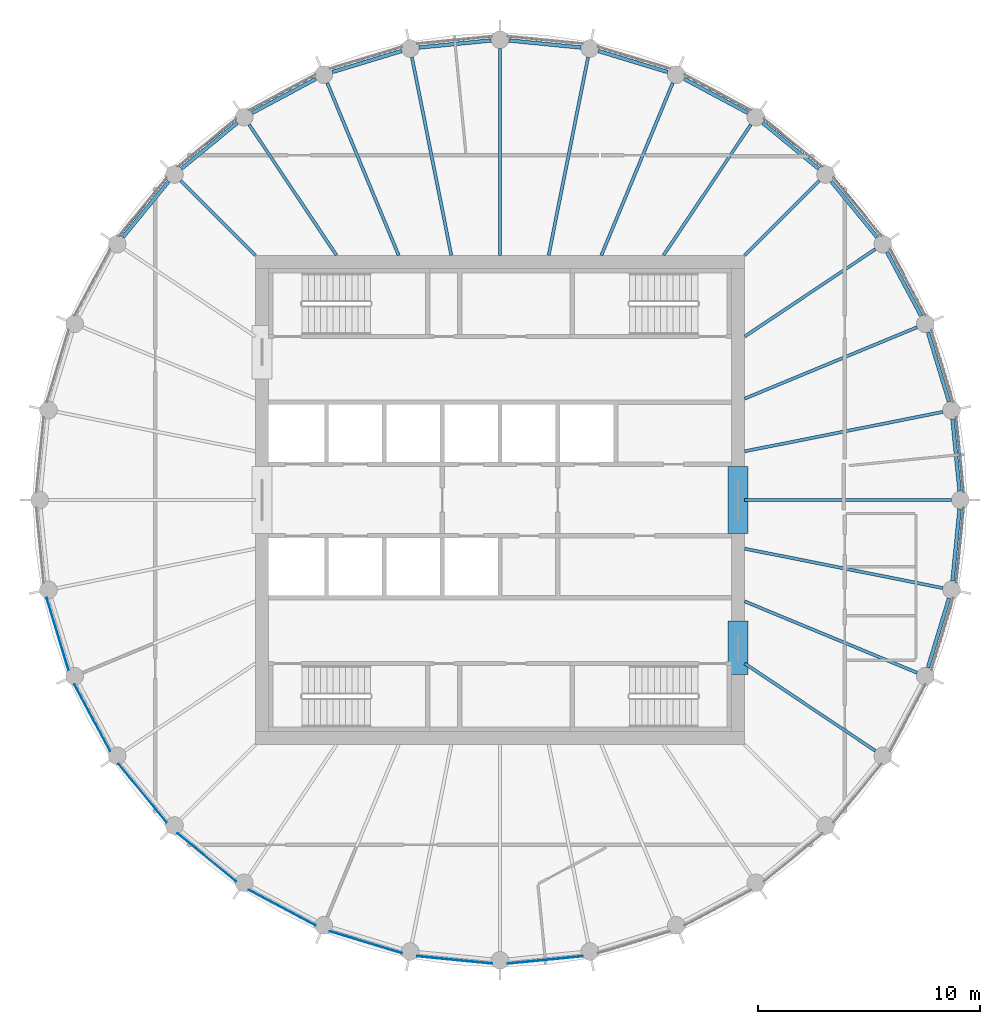
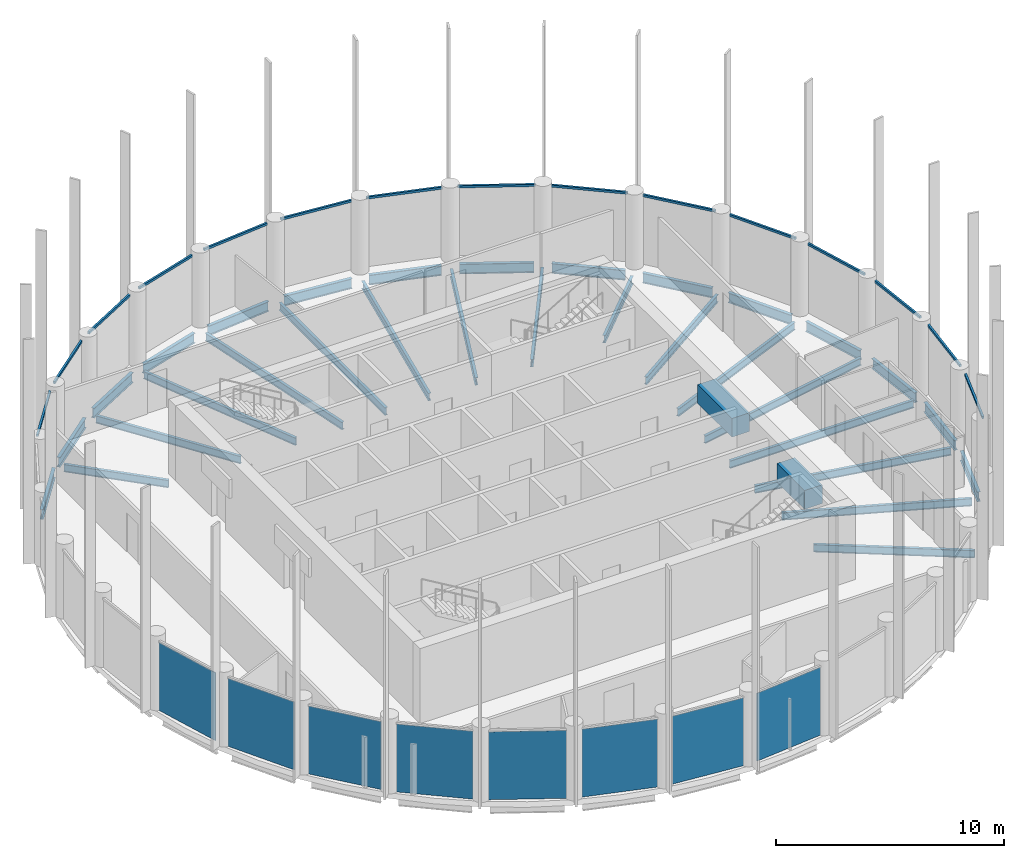
# One storey, part 2 of 7: 33 beams, 15 members, 8 plates, 23 elements without a shape of their own.
"""IFC4 building model written with IfcOpenShell, lengths in metres."""

from ifc_helpers import new_model, si_unit, direction, frame, origin, origin_2d, place, context, subcontext, project, spatial, rectangle, i_section, extrude, material, layer, layer_set, material_profile, profile_set, type_object, element, aggregate, save


model = new_model("IFC4")

# Units and contexts
model_context = context("Model", 3, precision=1e-05, world=origin(), true_north=direction((0.0, 1.0)))
body_context = subcontext(model_context, "Body", "Model", "MODEL_VIEW")
ifc_project = project(units=[si_unit("LENGTHUNIT", "METRE"), si_unit("AREAUNIT", "SQUARE_METRE"), si_unit("VOLUMEUNIT", "CUBIC_METRE"), si_unit("PLANEANGLEUNIT", "RADIAN"), si_unit("MASSUNIT", "GRAM", prefix="KILO")], contexts=[model_context])

# Site, building, storey
site_placement = place(None, origin())
site = spatial("IfcSite", under=ifc_project, at=site_placement, CompositionType="ELEMENT")
building_placement = place(site_placement, origin())
building = spatial("IfcBuilding", under=site, at=building_placement, Name="Corvane Civic Tower", CompositionType="ELEMENT")
storey_placement = place(building_placement, frame((0.0, 0.0, 356.5)))
storey = spatial("IfcBuildingStorey", under=building, at=storey_placement, Name="L85", CompositionType="ELEMENT", Elevation=356.5)

# Beams
ifc_material_1 = material(Name="Concrete C40/50", Category="concrete")
ifc_material_profile_1 = material_profile(ifc_material_1, rectangle(XDim=0.89990234375, YDim=1.0, at=origin_2d()), Name="COUPLING BEAM 900X1000")
ifc_profile_set_1 = profile_set([ifc_material_profile_1], Name="Concrete C40/50")
beam_type_1 = type_object("IfcBeamType", Name="COUPLING BEAM COUPLING BEAM 900X1000", PredefinedType="BEAM", material=ifc_profile_set_1)
beam_1_placement = place(storey_placement, frame((10.699951171875, -1.5, 2.60009765625), z_axis=(0.0, 1.0, 0.0), x_axis=(-1.0, 0.0, 0.0)))
element("IfcBeam", 1, at=beam_1_placement, inside=storey, type_object=beam_type_1, Name="BM-L85-cpl-CW-LE", PredefinedType="BEAM", context=body_context, shape_type="SweptSolid", body=[
    extrude(rectangle(XDim=0.89990234375, YDim=1.0, at=origin_2d()), origin(), (0.0, 0.0, 1.0), 3.0),
])
beam_2_placement = place(storey_placement, frame((10.699951171875, -7.85009765625, 2.60009765625), z_axis=(0.0, 1.0, 0.0), x_axis=(-1.0, 0.0, 0.0)))
element("IfcBeam", 2, at=beam_2_placement, inside=storey, type_object=beam_type_1, Name="BM-L85-cpl-CW-ES", PredefinedType="BEAM", context=body_context, shape_type="SweptSolid", body=[
    extrude(rectangle(XDim=0.89990234375, YDim=1.0, at=origin_2d()), origin(), (0.0, 0.0, 1.0), 2.400146484375),
])
ifc_material_2 = material(Name="Steel ASTM A992 Gr 50", Category="steel")
ifc_material_profile_2 = material_profile(ifc_material_2, i_section(OverallWidth=0.165771484375, OverallDepth=0.5283203125, WebThickness=0.009765625, FlangeThickness=0.013671875, at=origin_2d()), Name="W21X50")
ifc_profile_set_2 = profile_set([ifc_material_profile_2], Name="Steel ASTM A992 Gr 50")
beam_type_2 = type_object("IfcBeamType", Name="EDGE BEAM W21X50", PredefinedType="BEAM", material=ifc_profile_set_2)
beam_3_placement = place(storey_placement, frame((0.39794921875, 20.66064453125, -0.564208984375), z_axis=(0.995192503142, -0.097938152369, 0.0), x_axis=(0.097938152369, 0.995192503142, 0.0)))
element("IfcBeam", 3, at=beam_3_placement, inside=storey, type_object=beam_type_2, Name="BM-L85-E01", PredefinedType="BEAM", context=body_context, shape_type="SweptSolid", body=[
    extrude(i_section(OverallWidth=0.165771484375, OverallDepth=0.5283203125, WebThickness=0.009765625, FlangeThickness=0.013671875, at=origin_2d()), origin(), (0.0, 0.0, 1.0), 3.258056640625),
])
for number, where, z_axis, x_axis, name in (
    (4, (4.421142578125, 20.18603515625, -0.564208984375), (0.956955679349, -0.290234091317, 0.0), (0.290234091317, 0.956955679349, 0.0), "BM-L85-E02"),
    (5, (8.2744140625, 18.935791015625, -0.564208984375), (0.881894065907, -0.471447618, 0.0), (0.471447618, 0.881894065907, 0.0), "BM-L85-E03"),
    (6, (11.8095703125, 16.957763671875, -0.564208984375), (0.772984791903, -0.634424551454, 0.0), (0.634424551454, 0.772984791903, 0.0), "BM-L85-E04"),
    (7, (14.890869140625, 14.327880859375, -0.564208984375), (0.634424551454, -0.772984791903, 0.0), (0.772984791903, 0.634424551454, 0.0), "BM-L85-E05"),
    (8, (17.39990234375, 11.1474609375, -0.564208984375), (0.471447618, -0.881894065907, 0.0), (0.881894065907, 0.471447618, 0.0), "BM-L85-E06"),
    (9, (19.240478515625, 7.538818359375, -0.564208984375), (0.290234091317, -0.956955679349, 0.0), (0.956955679349, 0.290234091317, 0.0), "BM-L85-E07"),
):
    element("IfcBeam", number, at=place(storey_placement, frame(where, z_axis=z_axis, x_axis=x_axis)), inside=storey, type_object=beam_type_2, Name=name, PredefinedType="BEAM", context=body_context, shape_type="SweptSolid", body=[
        extrude(i_section(OverallWidth=0.165771484375, OverallDepth=0.5283203125, WebThickness=0.009765625, FlangeThickness=0.013671875, at=origin_2d()), origin(), (0.0, 0.0, 1.0), 3.2578125),
    ])
for number, where, z_axis, x_axis, name in (
    (10, (20.341552734375, 3.640380859375, -0.564208984375), (0.097938152369, -0.995192503142, 0.0), (0.995192503142, 0.097938152369, 0.0), "BM-L85-E08"),
    (11, (20.66064453125, -0.39794921875, -0.564208984375), (-0.097938152369, -0.995192503142, 0.0), (0.995192503142, -0.097938152369, 0.0), "BM-L85-E09"),
):
    element("IfcBeam", number, at=place(storey_placement, frame(where, z_axis=z_axis, x_axis=x_axis)), inside=storey, type_object=beam_type_2, Name=name, PredefinedType="BEAM", context=body_context, shape_type="SweptSolid", body=[
        extrude(i_section(OverallWidth=0.165771484375, OverallDepth=0.5283203125, WebThickness=0.009765625, FlangeThickness=0.013671875, at=origin_2d()), origin(), (0.0, 0.0, 1.0), 3.258056640625),
    ])
for number, where, z_axis, x_axis, name in (
    (12, (20.18603515625, -4.421142578125, -0.564208984375), (-0.290234091317, -0.956955679349, 0.0), (0.956955679349, -0.290234091317, 0.0), "BM-L85-E10"),
    (13, (-16.957763671875, 11.8095703125, -0.564208984375), (0.634424551454, 0.772984791903, 0.0), (-0.772984791903, 0.634424551454, 0.0), "BM-L85-E28"),
    (14, (-14.327880859375, 14.890869140625, -0.564208984375), (0.772984791903, 0.634424551454, 0.0), (-0.634424551454, 0.772984791903, 0.0), "BM-L85-E29"),
    (15, (-11.1474609375, 17.39990234375, -0.564208984375), (0.881894065907, 0.471447618, 0.0), (-0.471447618, 0.881894065907, 0.0), "BM-L85-E30"),
    (16, (-7.538818359375, 19.240478515625, -0.564208984375), (0.956955679349, 0.290234091317, 0.0), (-0.290234091317, 0.956955679349, 0.0), "BM-L85-E31"),
):
    element("IfcBeam", number, at=place(storey_placement, frame(where, z_axis=z_axis, x_axis=x_axis)), inside=storey, type_object=beam_type_2, Name=name, PredefinedType="BEAM", context=body_context, shape_type="SweptSolid", body=[
        extrude(i_section(OverallWidth=0.165771484375, OverallDepth=0.5283203125, WebThickness=0.009765625, FlangeThickness=0.013671875, at=origin_2d()), origin(), (0.0, 0.0, 1.0), 3.2578125),
    ])
beam_4_placement = place(storey_placement, frame((-3.640380859375, 20.341552734375, -0.564208984375), z_axis=(0.995192503142, 0.097938152369, 0.0), x_axis=(-0.097938152369, 0.995192503142, 0.0)))
element("IfcBeam", 17, at=beam_4_placement, inside=storey, type_object=beam_type_2, Name="BM-L85-E32", PredefinedType="BEAM", context=body_context, shape_type="SweptSolid", body=[
    extrude(i_section(OverallWidth=0.165771484375, OverallDepth=0.5283203125, WebThickness=0.009765625, FlangeThickness=0.013671875, at=origin_2d()), origin(), (0.0, 0.0, 1.0), 3.258056640625),
])
ifc_material_3 = material(Name="Steel ASTM A992 Gr 50", Category="steel")
ifc_material_profile_3 = material_profile(ifc_material_3, i_section(OverallWidth=0.140380859375, OverallDepth=0.40380859375, WebThickness=0.007080078125, FlangeThickness=0.01123046875, at=origin_2d()), Name="W16X31")
ifc_profile_set_3 = profile_set([ifc_material_profile_3], Name="Steel ASTM A992 Gr 50")
beam_type_3 = type_object("IfcBeamType", Name="FLOOR GIRDER W16X31", PredefinedType="BEAM", material=ifc_profile_set_3)
beam_5_placement = place(storey_placement, frame((0.0, 11.0, -0.501953125), z_axis=(0.0, 1.0, 0.0), x_axis=(-1.0, 0.0, 0.0)))
element("IfcBeam", 18, at=beam_5_placement, inside=storey, type_object=beam_type_3, Name="BM-L85-G01", PredefinedType="BEAM", context=body_context, shape_type="SweptSolid", body=[
    extrude(i_section(OverallWidth=0.140380859375, OverallDepth=0.40380859375, WebThickness=0.007080078125, FlangeThickness=0.01123046875, at=origin_2d()), origin(), (0.0, 0.0, 1.0), 9.300048828125),
])
beam_6_placement = place(storey_placement, frame((2.18798828125, 11.0, -0.501953125), z_axis=(0.195108241061, 0.980781715913, 0.0), x_axis=(-0.980781715913, 0.195108241061, 0.0)))
element("IfcBeam", 19, at=beam_6_placement, inside=storey, type_object=beam_type_3, Name="BM-L85-G02", PredefinedType="BEAM", context=body_context, shape_type="SweptSolid", body=[
    extrude(i_section(OverallWidth=0.140380859375, OverallDepth=0.40380859375, WebThickness=0.007080078125, FlangeThickness=0.01123046875, at=origin_2d()), origin(), (0.0, 0.0, 1.0), 9.08447265625),
])
beam_7_placement = place(storey_placement, frame((4.556396484375, 11.0, -0.501953125), z_axis=(0.382691739894, 0.923876091377, 0.0), x_axis=(-0.923876091377, 0.382691739894, 0.0)))
element("IfcBeam", 20, at=beam_7_placement, inside=storey, type_object=beam_type_3, Name="BM-L85-G03", PredefinedType="BEAM", context=body_context, shape_type="SweptSolid", body=[
    extrude(i_section(OverallWidth=0.140380859375, OverallDepth=0.40380859375, WebThickness=0.007080078125, FlangeThickness=0.01123046875, at=origin_2d()), origin(), (0.0, 0.0, 1.0), 8.3935546875),
])
beam_8_placement = place(storey_placement, frame((7.349853515625, 11.0, -0.501953125), z_axis=(0.555576401385, 0.831465490699, 0.0), x_axis=(-0.831465490699, 0.555576401385, 0.0)))
element("IfcBeam", 21, at=beam_8_placement, inside=storey, type_object=beam_type_3, Name="BM-L85-G04", PredefinedType="BEAM", context=body_context, shape_type="SweptSolid", body=[
    extrude(i_section(OverallWidth=0.140380859375, OverallDepth=0.40380859375, WebThickness=0.007080078125, FlangeThickness=0.01123046875, at=origin_2d()), origin(), (0.0, 0.0, 1.0), 7.070556640625),
])
beam_9_placement = place(storey_placement, frame((11.0, 11.0, -0.501953125), z_axis=(0.707106781187, 0.707106781187, 0.0), x_axis=(-0.707106781187, 0.707106781187, 0.0)))
element("IfcBeam", 22, at=beam_9_placement, inside=storey, type_object=beam_type_3, Name="BM-L85-G05", PredefinedType="BEAM", context=body_context, shape_type="SweptSolid", body=[
    extrude(i_section(OverallWidth=0.140380859375, OverallDepth=0.40380859375, WebThickness=0.007080078125, FlangeThickness=0.01123046875, at=origin_2d()), origin(), (0.0, 0.0, 1.0), 4.74365234375),
])
beam_10_placement = place(storey_placement, frame((11.0, 7.349853515625, -0.501953125), z_axis=(0.831465490699, 0.555576401385, 0.0), x_axis=(-0.555576401385, 0.831465490699, 0.0)))
element("IfcBeam", 23, at=beam_10_placement, inside=storey, type_object=beam_type_3, Name="BM-L85-G06", PredefinedType="BEAM", context=body_context, shape_type="SweptSolid", body=[
    extrude(i_section(OverallWidth=0.140380859375, OverallDepth=0.40380859375, WebThickness=0.007080078125, FlangeThickness=0.01123046875, at=origin_2d()), origin(), (0.0, 0.0, 1.0), 7.070556640625),
])
beam_11_placement = place(storey_placement, frame((11.0, 4.556396484375, -0.501953125), z_axis=(0.923876091377, 0.382691739894, 0.0), x_axis=(-0.382691739894, 0.923876091377, 0.0)))
element("IfcBeam", 24, at=beam_11_placement, inside=storey, type_object=beam_type_3, Name="BM-L85-G07", PredefinedType="BEAM", context=body_context, shape_type="SweptSolid", body=[
    extrude(i_section(OverallWidth=0.140380859375, OverallDepth=0.40380859375, WebThickness=0.007080078125, FlangeThickness=0.01123046875, at=origin_2d()), origin(), (0.0, 0.0, 1.0), 8.3935546875),
])
beam_12_placement = place(storey_placement, frame((11.0, 2.18798828125, -0.501953125), z_axis=(0.980781715913, 0.195108241061, 0.0), x_axis=(-0.195108241061, 0.980781715913, 0.0)))
element("IfcBeam", 25, at=beam_12_placement, inside=storey, type_object=beam_type_3, Name="BM-L85-G08", PredefinedType="BEAM", context=body_context, shape_type="SweptSolid", body=[
    extrude(i_section(OverallWidth=0.140380859375, OverallDepth=0.40380859375, WebThickness=0.007080078125, FlangeThickness=0.01123046875, at=origin_2d()), origin(), (0.0, 0.0, 1.0), 9.08447265625),
])
beam_13_placement = place(storey_placement, frame((11.0, 0.0, -0.501953125), z_axis=(1.0, 0.0, 0.0), x_axis=(0.0, 1.0, 0.0)))
element("IfcBeam", 26, at=beam_13_placement, inside=storey, type_object=beam_type_3, Name="BM-L85-G09", PredefinedType="BEAM", context=body_context, shape_type="SweptSolid", body=[
    extrude(i_section(OverallWidth=0.140380859375, OverallDepth=0.40380859375, WebThickness=0.007080078125, FlangeThickness=0.01123046875, at=origin_2d()), origin(), (0.0, 0.0, 1.0), 9.300048828125),
])
beam_14_placement = place(storey_placement, frame((11.0, -2.18798828125, -0.501953125), z_axis=(0.980781715913, -0.195108241061, 0.0), x_axis=(0.195108241061, 0.980781715913, 0.0)))
element("IfcBeam", 27, at=beam_14_placement, inside=storey, type_object=beam_type_3, Name="BM-L85-G10", PredefinedType="BEAM", context=body_context, shape_type="SweptSolid", body=[
    extrude(i_section(OverallWidth=0.140380859375, OverallDepth=0.40380859375, WebThickness=0.007080078125, FlangeThickness=0.01123046875, at=origin_2d()), origin(), (0.0, 0.0, 1.0), 9.08447265625),
])
beam_15_placement = place(storey_placement, frame((11.0, -4.556396484375, -0.501953125), z_axis=(0.923876091377, -0.382691739894, 0.0), x_axis=(0.382691739894, 0.923876091377, 0.0)))
element("IfcBeam", 28, at=beam_15_placement, inside=storey, type_object=beam_type_3, Name="BM-L85-G11", PredefinedType="BEAM", context=body_context, shape_type="SweptSolid", body=[
    extrude(i_section(OverallWidth=0.140380859375, OverallDepth=0.40380859375, WebThickness=0.007080078125, FlangeThickness=0.01123046875, at=origin_2d()), origin(), (0.0, 0.0, 1.0), 8.3935546875),
])
beam_16_placement = place(storey_placement, frame((11.0, -7.349853515625, -0.501953125), z_axis=(0.831465490699, -0.555576401385, 0.0), x_axis=(0.555576401385, 0.831465490699, 0.0)))
element("IfcBeam", 29, at=beam_16_placement, inside=storey, type_object=beam_type_3, Name="BM-L85-G12", PredefinedType="BEAM", context=body_context, shape_type="SweptSolid", body=[
    extrude(i_section(OverallWidth=0.140380859375, OverallDepth=0.40380859375, WebThickness=0.007080078125, FlangeThickness=0.01123046875, at=origin_2d()), origin(), (0.0, 0.0, 1.0), 7.070556640625),
])
beam_17_placement = place(storey_placement, frame((-11.0, 11.0, -0.501953125), z_axis=(-0.707106781187, 0.707106781187, 0.0), x_axis=(-0.707106781187, -0.707106781187, 0.0)))
element("IfcBeam", 30, at=beam_17_placement, inside=storey, type_object=beam_type_3, Name="BM-L85-G29", PredefinedType="BEAM", context=body_context, shape_type="SweptSolid", body=[
    extrude(i_section(OverallWidth=0.140380859375, OverallDepth=0.40380859375, WebThickness=0.007080078125, FlangeThickness=0.01123046875, at=origin_2d()), origin(), (0.0, 0.0, 1.0), 4.74365234375),
])
beam_18_placement = place(storey_placement, frame((-7.349853515625, 11.0, -0.501953125), z_axis=(-0.555576401385, 0.831465490699, 0.0), x_axis=(-0.831465490699, -0.555576401385, 0.0)))
element("IfcBeam", 31, at=beam_18_placement, inside=storey, type_object=beam_type_3, Name="BM-L85-G30", PredefinedType="BEAM", context=body_context, shape_type="SweptSolid", body=[
    extrude(i_section(OverallWidth=0.140380859375, OverallDepth=0.40380859375, WebThickness=0.007080078125, FlangeThickness=0.01123046875, at=origin_2d()), origin(), (0.0, 0.0, 1.0), 7.070556640625),
])
beam_19_placement = place(storey_placement, frame((-4.556396484375, 11.0, -0.501953125), z_axis=(-0.382691739894, 0.923876091377, 0.0), x_axis=(-0.923876091377, -0.382691739894, 0.0)))
element("IfcBeam", 32, at=beam_19_placement, inside=storey, type_object=beam_type_3, Name="BM-L85-G31", PredefinedType="BEAM", context=body_context, shape_type="SweptSolid", body=[
    extrude(i_section(OverallWidth=0.140380859375, OverallDepth=0.40380859375, WebThickness=0.007080078125, FlangeThickness=0.01123046875, at=origin_2d()), origin(), (0.0, 0.0, 1.0), 8.3935546875),
])
beam_20_placement = place(storey_placement, frame((-2.18798828125, 11.0, -0.501953125), z_axis=(-0.195108241061, 0.980781715913, 0.0), x_axis=(-0.980781715913, -0.195108241061, 0.0)))
element("IfcBeam", 33, at=beam_20_placement, inside=storey, type_object=beam_type_3, Name="BM-L85-G32", PredefinedType="BEAM", context=body_context, shape_type="SweptSolid", body=[
    extrude(i_section(OverallWidth=0.140380859375, OverallDepth=0.40380859375, WebThickness=0.007080078125, FlangeThickness=0.01123046875, at=origin_2d()), origin(), (0.0, 0.0, 1.0), 9.08447265625),
])

# Curtain wall, member
ifc_material_4 = material(Name="Anodised aluminium bronze", Category="aluminium")
curtain_wall_type = type_object("IfcCurtainWallType", Name="TOWER CW-T3 STICK CURTAIN WALL", PredefinedType="NOTDEFINED", material=ifc_material_4)
curtain_wall_1_placement = place(storey_placement, origin())
curtain_wall_1 = element("IfcCurtainWall", 34, at=curtain_wall_1_placement, inside=storey, type_object=curtain_wall_type, Name="Curtain wall CW-T3 L85 bay 01", PredefinedType="NOTDEFINED")
ifc_material_5 = material(Name="Anodised aluminium bronze", Category="aluminium")
ifc_material_profile_4 = material_profile(ifc_material_5, rectangle(XDim=0.10009765625, YDim=0.1201171875, at=origin_2d()), Name="TOWER CW-T3 TRANSOM 100x120")
ifc_profile_set_4 = profile_set([ifc_material_profile_4], Name="Anodised aluminium bronze")
member_type = type_object("IfcMemberType", Name="TOWER CW-T3 TRANSOM 100x120", PredefinedType="USERDEFINED", material=ifc_profile_set_4)
member_1_placement = place(storey_placement, frame((0.34375, 20.845947265625, 3.68994140625), z_axis=(0.995191564676, -0.097947688066, 0.0), x_axis=(0.097947688066, 0.995191564676, 0.0)))
member_1 = element("IfcMember", 35, at=member_1_placement, type_object=member_type, Name="Transom CW-T3 L85 01.1", ObjectType="TRANSOM", PredefinedType="USERDEFINED", context=body_context, shape_type="SweptSolid", body=[
    extrude(rectangle(XDim=0.10009765625, YDim=0.1201171875, at=origin_2d()), origin(), (0.0, 0.0, 1.0), 3.40234375),
])
aggregate(curtain_wall_1, [member_1])

curtain_wall_2_placement = place(storey_placement, origin())
curtain_wall_2 = element("IfcCurtainWall", 36, at=curtain_wall_2_placement, inside=storey, type_object=curtain_wall_type, Name="Curtain wall CW-T3 L85 bay 02", PredefinedType="NOTDEFINED")
member_2_placement = place(storey_placement, frame((4.40380859375, 20.37841796875, 3.68994140625), z_axis=(0.956961022204, -0.290216474345, 0.0), x_axis=(0.290216474345, 0.956961022204, 0.0)))
member_2 = element("IfcMember", 37, at=member_2_placement, type_object=member_type, Name="Transom CW-T3 L85 02.1", ObjectType="TRANSOM", PredefinedType="USERDEFINED", context=body_context, shape_type="SweptSolid", body=[
    extrude(rectangle(XDim=0.10009765625, YDim=0.1201171875, at=origin_2d()), origin(), (0.0, 0.0, 1.0), 3.40283203125),
])
aggregate(curtain_wall_2, [member_2])

curtain_wall_3_placement = place(storey_placement, origin())
curtain_wall_3 = element("IfcCurtainWall", 38, at=curtain_wall_3_placement, inside=storey, type_object=curtain_wall_type, Name="Curtain wall CW-T3 L85 bay 03", PredefinedType="NOTDEFINED")
member_3_placement = place(storey_placement, frame((8.294921875, 19.127685546875, 3.68994140625), z_axis=(0.881941440444, -0.471358988063, 0.0), x_axis=(0.471358988063, 0.881941440444, 0.0)))
member_3 = element("IfcMember", 39, at=member_3_placement, type_object=member_type, Name="Transom CW-T3 L85 03.1", ObjectType="TRANSOM", PredefinedType="USERDEFINED", context=body_context, shape_type="SweptSolid", body=[
    extrude(rectangle(XDim=0.10009765625, YDim=0.1201171875, at=origin_2d()), origin(), (0.0, 0.0, 1.0), 3.40234375),
])
aggregate(curtain_wall_3, [member_3])

curtain_wall_4_placement = place(storey_placement, origin())
curtain_wall_4 = element("IfcCurtainWall", 40, at=curtain_wall_4_placement, inside=storey, type_object=curtain_wall_type, Name="Curtain wall CW-T3 L85 bay 04", PredefinedType="NOTDEFINED")
member_4_placement = place(storey_placement, frame((11.8671875, 17.14208984375, 3.68994140625), z_axis=(0.773010217358, -0.634393571736, 0.0), x_axis=(0.634393571736, 0.773010217358, 0.0)))
member_4 = element("IfcMember", 41, at=member_4_placement, type_object=member_type, Name="Transom CW-T3 L85 04.1", ObjectType="TRANSOM", PredefinedType="USERDEFINED", context=body_context, shape_type="SweptSolid", body=[
    extrude(rectangle(XDim=0.10009765625, YDim=0.1201171875, at=origin_2d()), origin(), (0.0, 0.0, 1.0), 3.40283203125),
])
aggregate(curtain_wall_4, [member_4])

curtain_wall_5_placement = place(storey_placement, origin())
curtain_wall_5 = element("IfcCurtainWall", 42, at=curtain_wall_5_placement, inside=storey, type_object=curtain_wall_type, Name="Curtain wall CW-T3 L85 bay 05", PredefinedType="NOTDEFINED")
member_5_placement = place(storey_placement, frame((14.9833984375, 14.49755859375, 3.68994140625), z_axis=(0.634393571736, -0.773010217358, 0.0), x_axis=(0.773010217358, 0.634393571736, 0.0)))
member_5 = element("IfcMember", 43, at=member_5_placement, type_object=member_type, Name="Transom CW-T3 L85 05.1", ObjectType="TRANSOM", PredefinedType="USERDEFINED", context=body_context, shape_type="SweptSolid", body=[
    extrude(rectangle(XDim=0.10009765625, YDim=0.1201171875, at=origin_2d()), origin(), (0.0, 0.0, 1.0), 3.40283203125),
])
aggregate(curtain_wall_5, [member_5])

curtain_wall_6_placement = place(storey_placement, origin())
curtain_wall_6 = element("IfcCurtainWall", 44, at=curtain_wall_6_placement, inside=storey, type_object=curtain_wall_type, Name="Curtain wall CW-T3 L85 bay 06", PredefinedType="NOTDEFINED")
member_6_placement = place(storey_placement, frame((17.52392578125, 11.295654296875, 3.68994140625), z_axis=(0.471358988063, -0.881941440444, 0.0), x_axis=(0.881941440444, 0.471358988063, 0.0)))
member_6 = element("IfcMember", 45, at=member_6_placement, type_object=member_type, Name="Transom CW-T3 L85 06.1", ObjectType="TRANSOM", PredefinedType="USERDEFINED", context=body_context, shape_type="SweptSolid", body=[
    extrude(rectangle(XDim=0.10009765625, YDim=0.1201171875, at=origin_2d()), origin(), (0.0, 0.0, 1.0), 3.40234375),
])
aggregate(curtain_wall_6, [member_6])

curtain_wall_7_placement = place(storey_placement, origin())
curtain_wall_7 = element("IfcCurtainWall", 46, at=curtain_wall_7_placement, inside=storey, type_object=curtain_wall_type, Name="Curtain wall CW-T3 L85 bay 07", PredefinedType="NOTDEFINED")
member_7_placement = place(storey_placement, frame((19.390869140625, 7.66015625, 3.68994140625), z_axis=(0.290216474345, -0.956961022204, 0.0), x_axis=(0.956961022204, 0.290216474345, 0.0)))
member_7 = element("IfcMember", 47, at=member_7_placement, type_object=member_type, Name="Transom CW-T3 L85 07.1", ObjectType="TRANSOM", PredefinedType="USERDEFINED", context=body_context, shape_type="SweptSolid", body=[
    extrude(rectangle(XDim=0.10009765625, YDim=0.1201171875, at=origin_2d()), origin(), (0.0, 0.0, 1.0), 3.40283203125),
])
aggregate(curtain_wall_7, [member_7])

curtain_wall_8_placement = place(storey_placement, origin())
curtain_wall_8 = element("IfcCurtainWall", 48, at=curtain_wall_8_placement, inside=storey, type_object=curtain_wall_type, Name="Curtain wall CW-T3 L85 bay 08", PredefinedType="NOTDEFINED")
member_8_placement = place(storey_placement, frame((20.5126953125, 3.729736328125, 3.68994140625), z_axis=(0.097947688066, -0.995191564676, 0.0), x_axis=(0.995191564676, 0.097947688066, 0.0)))
member_8 = element("IfcMember", 49, at=member_8_placement, type_object=member_type, Name="Transom CW-T3 L85 08.1", ObjectType="TRANSOM", PredefinedType="USERDEFINED", context=body_context, shape_type="SweptSolid", body=[
    extrude(rectangle(XDim=0.10009765625, YDim=0.1201171875, at=origin_2d()), origin(), (0.0, 0.0, 1.0), 3.40234375),
])
aggregate(curtain_wall_8, [member_8])

curtain_wall_9_placement = place(storey_placement, origin())
curtain_wall_9 = element("IfcCurtainWall", 50, at=curtain_wall_9_placement, inside=storey, type_object=curtain_wall_type, Name="Curtain wall CW-T3 L85 bay 09", PredefinedType="NOTDEFINED")
member_9_placement = place(storey_placement, frame((20.845947265625, -0.34375, 3.68994140625), z_axis=(-0.097947688066, -0.995191564676, 0.0), x_axis=(0.995191564676, -0.097947688066, 0.0)))
member_9 = element("IfcMember", 51, at=member_9_placement, type_object=member_type, Name="Transom CW-T3 L85 09.1", ObjectType="TRANSOM", PredefinedType="USERDEFINED", context=body_context, shape_type="SweptSolid", body=[
    extrude(rectangle(XDim=0.10009765625, YDim=0.1201171875, at=origin_2d()), origin(), (0.0, 0.0, 1.0), 3.40234375),
])
aggregate(curtain_wall_9, [member_9])

curtain_wall_10_placement = place(storey_placement, origin())
curtain_wall_10 = element("IfcCurtainWall", 52, at=curtain_wall_10_placement, inside=storey, type_object=curtain_wall_type, Name="Curtain wall CW-T3 L85 bay 10", PredefinedType="NOTDEFINED")
member_10_placement = place(storey_placement, frame((20.37841796875, -4.40380859375, 3.68994140625), z_axis=(-0.290216474345, -0.956961022204, 0.0), x_axis=(0.956961022204, -0.290216474345, 0.0)))
member_10 = element("IfcMember", 53, at=member_10_placement, type_object=member_type, Name="Transom CW-T3 L85 10.1", ObjectType="TRANSOM", PredefinedType="USERDEFINED", context=body_context, shape_type="SweptSolid", body=[
    extrude(rectangle(XDim=0.10009765625, YDim=0.1201171875, at=origin_2d()), origin(), (0.0, 0.0, 1.0), 3.40283203125),
])
aggregate(curtain_wall_10, [member_10])

curtain_wall_11_placement = place(storey_placement, origin())
curtain_wall_11 = element("IfcCurtainWall", 54, at=curtain_wall_11_placement, inside=storey, type_object=curtain_wall_type, Name="Curtain wall CW-T3 L85 bay 28", PredefinedType="NOTDEFINED")
member_11_placement = place(storey_placement, frame((-17.14208984375, 11.8671875, 3.68994140625), z_axis=(0.634393571736, 0.773010217358, 0.0), x_axis=(-0.773010217358, 0.634393571736, 0.0)))
member_11 = element("IfcMember", 55, at=member_11_placement, type_object=member_type, Name="Transom CW-T3 L85 28.1", ObjectType="TRANSOM", PredefinedType="USERDEFINED", context=body_context, shape_type="SweptSolid", body=[
    extrude(rectangle(XDim=0.10009765625, YDim=0.1201171875, at=origin_2d()), origin(), (0.0, 0.0, 1.0), 3.40283203125),
])
aggregate(curtain_wall_11, [member_11])

curtain_wall_12_placement = place(storey_placement, origin())
curtain_wall_12 = element("IfcCurtainWall", 56, at=curtain_wall_12_placement, inside=storey, type_object=curtain_wall_type, Name="Curtain wall CW-T3 L85 bay 29", PredefinedType="NOTDEFINED")
member_12_placement = place(storey_placement, frame((-14.49755859375, 14.9833984375, 3.68994140625), z_axis=(0.773010217358, 0.634393571736, 0.0), x_axis=(-0.634393571736, 0.773010217358, 0.0)))
member_12 = element("IfcMember", 57, at=member_12_placement, type_object=member_type, Name="Transom CW-T3 L85 29.1", ObjectType="TRANSOM", PredefinedType="USERDEFINED", context=body_context, shape_type="SweptSolid", body=[
    extrude(rectangle(XDim=0.10009765625, YDim=0.1201171875, at=origin_2d()), origin(), (0.0, 0.0, 1.0), 3.40283203125),
])
aggregate(curtain_wall_12, [member_12])

curtain_wall_13_placement = place(storey_placement, origin())
curtain_wall_13 = element("IfcCurtainWall", 58, at=curtain_wall_13_placement, inside=storey, type_object=curtain_wall_type, Name="Curtain wall CW-T3 L85 bay 30", PredefinedType="NOTDEFINED")
member_13_placement = place(storey_placement, frame((-11.295654296875, 17.52392578125, 3.68994140625), z_axis=(0.881941440444, 0.471358988063, 0.0), x_axis=(-0.471358988063, 0.881941440444, 0.0)))
member_13 = element("IfcMember", 59, at=member_13_placement, type_object=member_type, Name="Transom CW-T3 L85 30.1", ObjectType="TRANSOM", PredefinedType="USERDEFINED", context=body_context, shape_type="SweptSolid", body=[
    extrude(rectangle(XDim=0.10009765625, YDim=0.1201171875, at=origin_2d()), origin(), (0.0, 0.0, 1.0), 3.40234375),
])
aggregate(curtain_wall_13, [member_13])

curtain_wall_14_placement = place(storey_placement, origin())
curtain_wall_14 = element("IfcCurtainWall", 60, at=curtain_wall_14_placement, inside=storey, type_object=curtain_wall_type, Name="Curtain wall CW-T3 L85 bay 31", PredefinedType="NOTDEFINED")
member_14_placement = place(storey_placement, frame((-7.66015625, 19.390869140625, 3.68994140625), z_axis=(0.956961022204, 0.290216474345, 0.0), x_axis=(-0.290216474345, 0.956961022204, 0.0)))
member_14 = element("IfcMember", 61, at=member_14_placement, type_object=member_type, Name="Transom CW-T3 L85 31.1", ObjectType="TRANSOM", PredefinedType="USERDEFINED", context=body_context, shape_type="SweptSolid", body=[
    extrude(rectangle(XDim=0.10009765625, YDim=0.1201171875, at=origin_2d()), origin(), (0.0, 0.0, 1.0), 3.40283203125),
])
aggregate(curtain_wall_14, [member_14])

curtain_wall_15_placement = place(storey_placement, origin())
curtain_wall_15 = element("IfcCurtainWall", 62, at=curtain_wall_15_placement, inside=storey, type_object=curtain_wall_type, Name="Curtain wall CW-T3 L85 bay 32", PredefinedType="NOTDEFINED")
member_15_placement = place(storey_placement, frame((-3.729736328125, 20.5126953125, 3.68994140625), z_axis=(0.995191564676, 0.097947688066, 0.0), x_axis=(-0.097947688066, 0.995191564676, 0.0)))
member_15 = element("IfcMember", 63, at=member_15_placement, type_object=member_type, Name="Transom CW-T3 L85 32.1", ObjectType="TRANSOM", PredefinedType="USERDEFINED", context=body_context, shape_type="SweptSolid", body=[
    extrude(rectangle(XDim=0.10009765625, YDim=0.1201171875, at=origin_2d()), origin(), (0.0, 0.0, 1.0), 3.40234375),
])
aggregate(curtain_wall_15, [member_15])

# Curtain wall, plate
curtain_wall_16_placement = place(storey_placement, origin())
curtain_wall_16 = element("IfcCurtainWall", 64, at=curtain_wall_16_placement, inside=storey, type_object=curtain_wall_type, Name="Curtain wall CW-T3 L85 bay 16", PredefinedType="NOTDEFINED")
ifc_material_6 = material(Name="Tinted glass", Category="glass")
ifc_layer = layer(ifc_material_6, 0.028076171875)
ifc_layer_set = layer_set([ifc_layer], Name="Tinted glass")
plate_type = type_object("IfcPlateType", Name="TOWER CW-T3 PANEL IGU28", PredefinedType="CURTAIN_PANEL", material=ifc_layer_set)
plate_1_placement = place(storey_placement, frame((2.03662109375, -20.679443359375, 0.0), z_axis=(0.0, 0.0, 1.0), x_axis=(-0.995186641028, -0.097997701601, 0.0)))
plate_1 = element("IfcPlate", 65, at=plate_1_placement, type_object=plate_type, Name="Glass panel CW-T3 L85 16.1", PredefinedType="CURTAIN_PANEL", context=body_context, shape_type="SweptSolid", body=[
    extrude(rectangle(XDim=3.402587890625, YDim=0.028076171875, at=origin_2d()), origin(), (0.0, 0.0, 1.0), 3.6298828125),
])
aggregate(curtain_wall_16, [plate_1])

curtain_wall_17_placement = place(storey_placement, origin())
curtain_wall_17 = element("IfcCurtainWall", 66, at=curtain_wall_17_placement, inside=storey, type_object=curtain_wall_type, Name="Curtain wall CW-T3 L85 bay 17", PredefinedType="NOTDEFINED")
plate_2_placement = place(storey_placement, frame((-2.03662109375, -20.679443359375, 0.0), z_axis=(0.0, 0.0, 1.0), x_axis=(-0.995186641028, 0.097997701601, 0.0)))
plate_2 = element("IfcPlate", 67, at=plate_2_placement, type_object=plate_type, Name="Glass panel CW-T3 L85 17.1", PredefinedType="CURTAIN_PANEL", context=body_context, shape_type="SweptSolid", body=[
    extrude(rectangle(XDim=3.402587890625, YDim=0.028076171875, at=origin_2d()), origin(), (0.0, 0.0, 1.0), 3.6298828125),
])
aggregate(curtain_wall_17, [plate_2])

curtain_wall_18_placement = place(storey_placement, origin())
curtain_wall_18 = element("IfcCurtainWall", 68, at=curtain_wall_18_placement, inside=storey, type_object=curtain_wall_type, Name="Curtain wall CW-T3 L85 bay 18", PredefinedType="NOTDEFINED")
plate_3_placement = place(storey_placement, frame((-6.031982421875, -19.884765625, 0.0), z_axis=(0.0, 0.0, 1.0), x_axis=(-0.956938582641, 0.290290456359, 0.0)))
plate_3 = element("IfcPlate", 69, at=plate_3_placement, type_object=plate_type, Name="Glass panel CW-T3 L85 18.1", PredefinedType="CURTAIN_PANEL", context=body_context, shape_type="SweptSolid", body=[
    extrude(rectangle(XDim=3.40283203125, YDim=0.028076171875, at=origin_2d()), origin(), (0.0, 0.0, 1.0), 3.6298828125),
])
aggregate(curtain_wall_18, [plate_3])

curtain_wall_19_placement = place(storey_placement, origin())
curtain_wall_19 = element("IfcCurtainWall", 70, at=curtain_wall_19_placement, inside=storey, type_object=curtain_wall_type, Name="Curtain wall CW-T3 L85 bay 19", PredefinedType="NOTDEFINED")
plate_4_placement = place(storey_placement, frame((-9.79541015625, -18.325927734375, 0.0), z_axis=(0.0, 0.0, 1.0), x_axis=(-0.88192824848, 0.471383670202, 0.0)))
plate_4 = element("IfcPlate", 71, at=plate_4_placement, type_object=plate_type, Name="Glass panel CW-T3 L85 19.1", PredefinedType="CURTAIN_PANEL", context=body_context, shape_type="SweptSolid", body=[
    extrude(rectangle(XDim=3.40234375, YDim=0.028076171875, at=origin_2d()), origin(), (0.0, 0.0, 1.0), 3.6298828125),
])
aggregate(curtain_wall_19, [plate_4])

curtain_wall_20_placement = place(storey_placement, origin())
curtain_wall_20 = element("IfcCurtainWall", 72, at=curtain_wall_20_placement, inside=storey, type_object=curtain_wall_type, Name="Curtain wall CW-T3 L85 bay 20", PredefinedType="NOTDEFINED")
plate_5_placement = place(storey_placement, frame((-13.182373046875, -16.062744140625, 0.0), z_axis=(0.0, 0.0, 1.0), x_axis=(-0.773010369391, 0.634393386484, 0.0)))
plate_5 = element("IfcPlate", 73, at=plate_5_placement, type_object=plate_type, Name="Glass panel CW-T3 L85 20.1", PredefinedType="CURTAIN_PANEL", context=body_context, shape_type="SweptSolid", body=[
    extrude(rectangle(XDim=3.402587890625, YDim=0.028076171875, at=origin_2d()), origin(), (0.0, 0.0, 1.0), 3.6298828125),
])
aggregate(curtain_wall_20, [plate_5])

curtain_wall_21_placement = place(storey_placement, origin())
curtain_wall_21 = element("IfcCurtainWall", 74, at=curtain_wall_21_placement, inside=storey, type_object=curtain_wall_type, Name="Curtain wall CW-T3 L85 bay 21", PredefinedType="NOTDEFINED")
plate_6_placement = place(storey_placement, frame((-16.062744140625, -13.182373046875, 0.0), z_axis=(0.0, 0.0, 1.0), x_axis=(-0.634393386484, 0.773010369391, 0.0)))
plate_6 = element("IfcPlate", 75, at=plate_6_placement, type_object=plate_type, Name="Glass panel CW-T3 L85 21.1", PredefinedType="CURTAIN_PANEL", context=body_context, shape_type="SweptSolid", body=[
    extrude(rectangle(XDim=3.402587890625, YDim=0.028076171875, at=origin_2d()), origin(), (0.0, 0.0, 1.0), 3.6298828125),
])
aggregate(curtain_wall_21, [plate_6])

curtain_wall_22_placement = place(storey_placement, origin())
curtain_wall_22 = element("IfcCurtainWall", 76, at=curtain_wall_22_placement, inside=storey, type_object=curtain_wall_type, Name="Curtain wall CW-T3 L85 bay 22", PredefinedType="NOTDEFINED")
plate_7_placement = place(storey_placement, frame((-18.325927734375, -9.79541015625, 0.0), z_axis=(0.0, 0.0, 1.0), x_axis=(-0.471383670202, 0.88192824848, 0.0)))
plate_7 = element("IfcPlate", 77, at=plate_7_placement, type_object=plate_type, Name="Glass panel CW-T3 L85 22.1", PredefinedType="CURTAIN_PANEL", context=body_context, shape_type="SweptSolid", body=[
    extrude(rectangle(XDim=3.40234375, YDim=0.028076171875, at=origin_2d()), origin(), (0.0, 0.0, 1.0), 3.6298828125),
])
aggregate(curtain_wall_22, [plate_7])

curtain_wall_23_placement = place(storey_placement, origin())
curtain_wall_23 = element("IfcCurtainWall", 78, at=curtain_wall_23_placement, inside=storey, type_object=curtain_wall_type, Name="Curtain wall CW-T3 L85 bay 23", PredefinedType="NOTDEFINED")
plate_8_placement = place(storey_placement, frame((-19.884765625, -6.031982421875, 0.0), z_axis=(0.0, 0.0, 1.0), x_axis=(-0.290290456359, 0.956938582641, 0.0)))
plate_8 = element("IfcPlate", 79, at=plate_8_placement, type_object=plate_type, Name="Glass panel CW-T3 L85 23.1", PredefinedType="CURTAIN_PANEL", context=body_context, shape_type="SweptSolid", body=[
    extrude(rectangle(XDim=3.40283203125, YDim=0.028076171875, at=origin_2d()), origin(), (0.0, 0.0, 1.0), 3.6298828125),
])
aggregate(curtain_wall_23, [plate_8])

save(model, "model.ifc")
